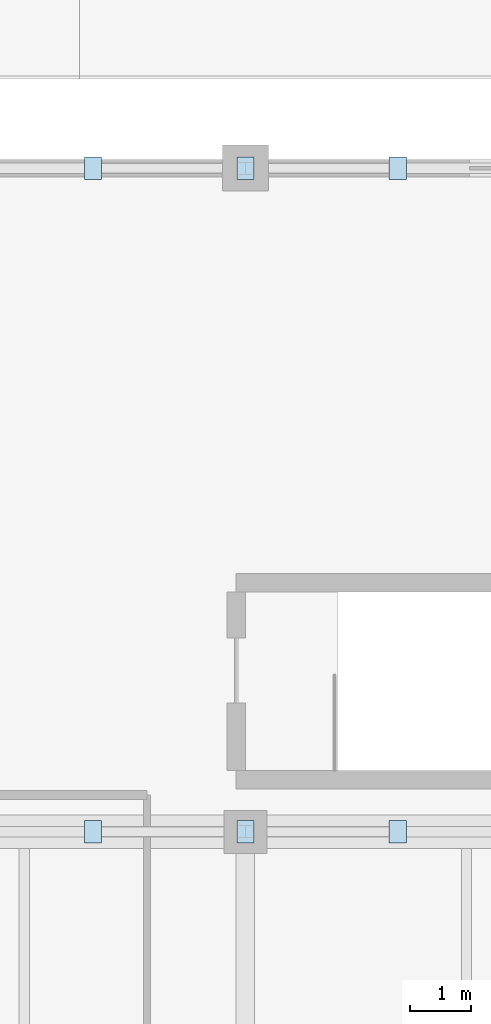
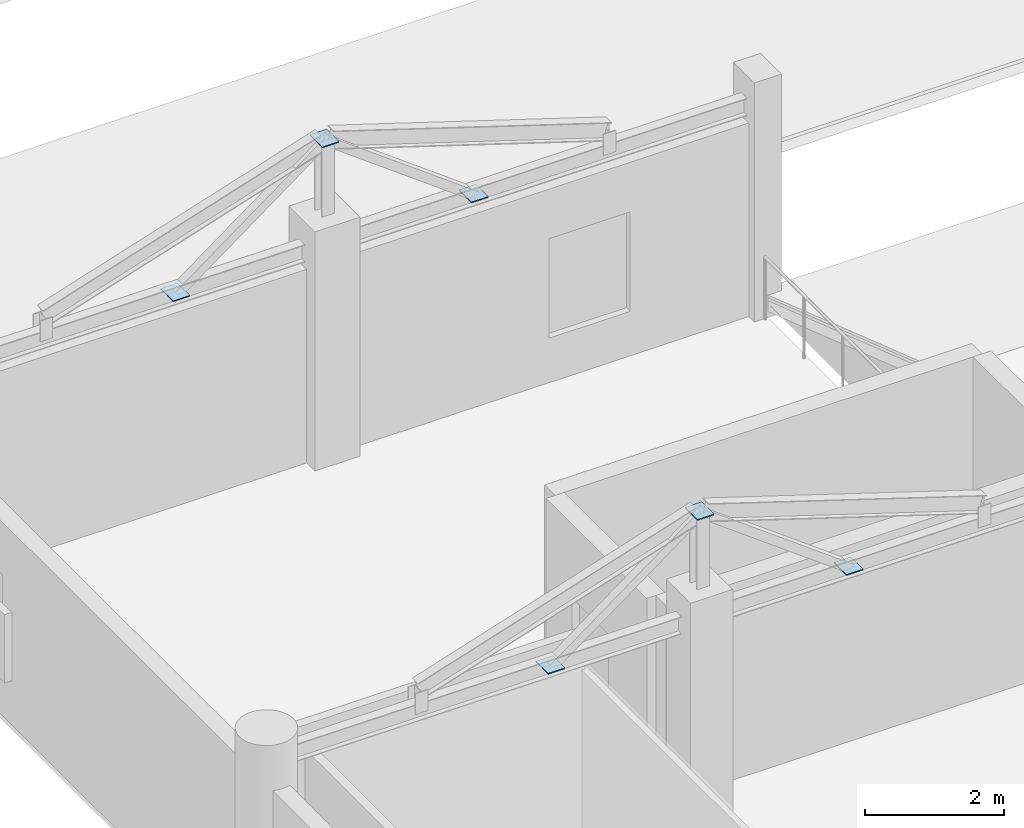
# One storey, part 58 of 90: 6 plates.
"""IFC4 building model written with IfcOpenShell, lengths in metres."""

from ifc_helpers import new_model, si_unit, direction, frame, origin, origin_2d, place, context, subcontext, project, spatial, rectangle, extrude, material, layer, layer_set, type_object, element, save


model = new_model("IFC4")

# Units and contexts
model_context = context("Model", 3, precision=1e-05, world=origin(), true_north=direction((0.0, 1.0)))
body_context = subcontext(model_context, "Body", "Model", "MODEL_VIEW")
ifc_project = project(units=[si_unit("LENGTHUNIT", "METRE"), si_unit("AREAUNIT", "SQUARE_METRE"), si_unit("VOLUMEUNIT", "CUBIC_METRE"), si_unit("PLANEANGLEUNIT", "RADIAN"), si_unit("MASSUNIT", "GRAM", prefix="KILO")], contexts=[model_context])

# Site, building, storey
site_placement = place(None, origin())
site = spatial("IfcSite", under=ifc_project, at=site_placement, CompositionType="ELEMENT")
building_placement = place(site_placement, origin())
building = spatial("IfcBuilding", under=site, at=building_placement, Name="Solanera Park Tramway Depot", CompositionType="ELEMENT")
storey_placement = place(building_placement, frame((0.0, 0.0, 9.0)))
storey = spatial("IfcBuildingStorey", under=building, at=storey_placement, Name="L02", CompositionType="ELEMENT", Elevation=9.0)

# Plates
ifc_material = material(Name="Steel AS/NZS 3679.1 Grade 350", Category="steel")
ifc_layer = layer(ifc_material, 0.01806640625)
ifc_layer_set = layer_set([ifc_layer], Name="Steel AS/NZS 3679.1 Grade 350")
plate_type = type_object("IfcPlateType", Name="Hollow End Cap and Base Plate 360x280x18", PredefinedType="USERDEFINED", material=ifc_layer_set)
for number, where, z_axis, x_axis, name in (
    (1, (112.719970703125, 43.199951171875, 3.63916015625), (0.0, 0.0, 1.0), (1.0, 0.0, 0.0), "Hip Truss Web Sealed Cap Plate #1149"),
    (2, (115.199951171875, 43.199951171875, 5.47509765625), (0.0, 0.0, 1.0), (1.0, 0.0, 0.0), "Hip Truss Web Sealed Cap Plate #1150"),
    (3, (117.679931640625, 43.199951171875, 3.63916015625), (0.0, 0.0, 1.0), (1.0, 0.0, 0.0), "Hip Truss Web Sealed Cap Plate #1151"),
    (4, (112.719970703125, 54.0, 3.637451171875), (0.0, 0.0, 1.0), (1.0, 0.0, 0.0), "Hip Truss Web Sealed Cap Plate #1152"),
    (5, (115.199951171875, 54.0, 5.473388671875), (0.0, 0.0, 1.0), (1.0, 0.0, 0.0), "Hip Truss Web Sealed Cap Plate #1153"),
    (6, (117.679931640625, 54.0, 3.637451171875), (0.0, 0.0, 1.0), (1.0, 0.0, 0.0), "Hip Truss Web Sealed Cap Plate #1154"),
):
    element("IfcPlate", number, at=place(storey_placement, frame(where, z_axis=z_axis, x_axis=x_axis)), inside=storey, type_object=plate_type, Name=name, ObjectType="BASE PLATE", PredefinedType="USERDEFINED", context=body_context, shape_type="SweptSolid", body=[
        extrude(rectangle(XDim=0.280029296875, YDim=0.360107421875, at=origin_2d()), origin(), (0.0, 0.0, 1.0), 0.01806640625),
    ])

save(model, "model.ifc")
